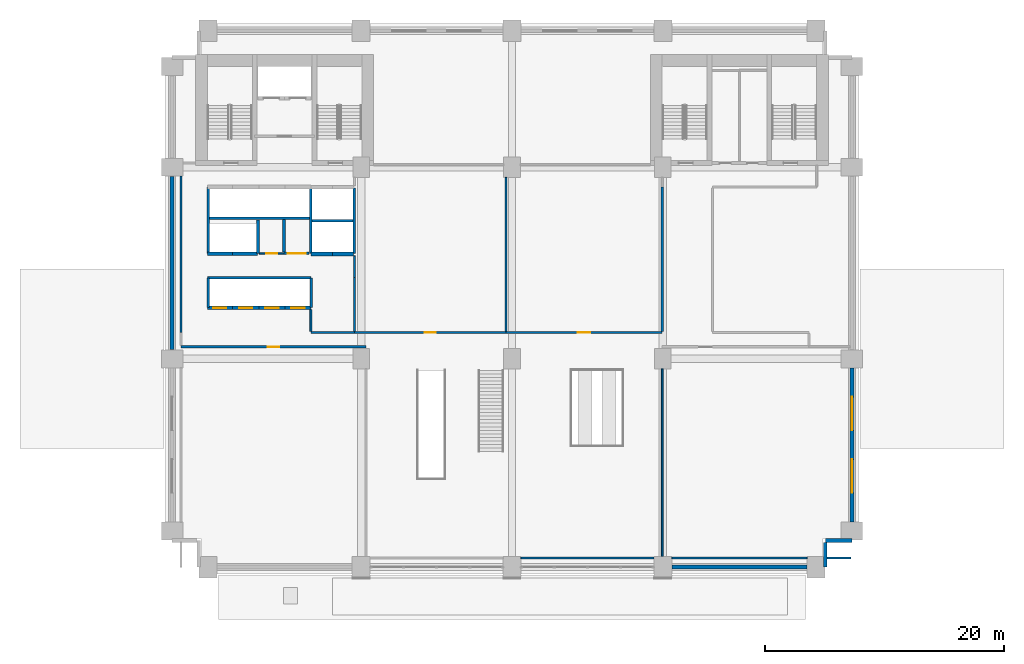
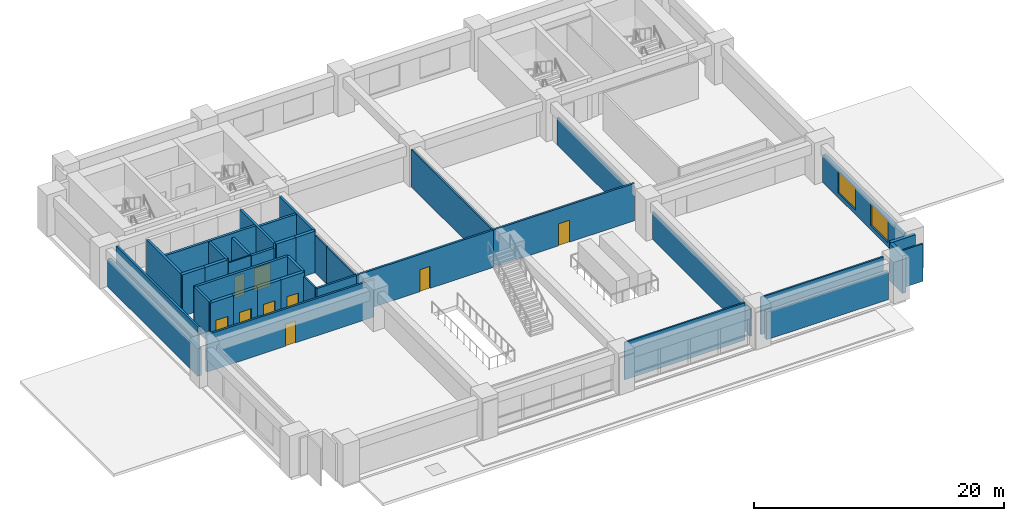
# One storey, part 5 of 11: 39 walls, 9 doors, 2 windows, 11 openings.
"""IFC4 building model written with IfcOpenShell, lengths in metres."""

import ifcopenshell
import ifcopenshell.guid

model = None  # the IFC model being written
_history = None  # IfcOwnerHistory: only IFC2X3 demands one
_inside = {}  # id of a spatial element -> (the spatial element, [elements in it])
_under = {}  # id of a project, library or spatial element -> (it, [spatial elements below it])
_declared = {}  # id of a project -> (the project, [libraries it declares])
_typed = {}  # id of a type object -> (the type object, [elements of that type])
_made_of = {}  # id of a material, layer set ... -> (it, [elements and type objects made of it])


def new_model(schema):
    """Start an empty IFC model of exactly this schema.

    Asked for "IFC4X3", IfcOpenShell would pick the latest addendum, in which some entities
    have other attributes; the version numbers below select the first issue.
    IFC2X3 requires an IfcOwnerHistory on every rooted entity: one is made here for all.
    """
    global model, _history
    if schema == "IFC4X3":
        model = ifcopenshell.file(schema_version=(4, 3, 0, 0))
    else:
        model = ifcopenshell.file(schema=schema)
    _inside.clear()
    _under.clear()
    _declared.clear()
    _typed.clear()
    _made_of.clear()
    _history = None
    if model.schema == "IFC2X3":
        org = make("IfcOrganization", Name="unknown")
        user = make(
            "IfcPersonAndOrganization",
            ThePerson=make("IfcPerson", FamilyName="unknown"),
            TheOrganization=org,
        )
        app = make(
            "IfcApplication",
            ApplicationDeveloper=org,
            Version="unknown",
            ApplicationFullName="unknown",
            ApplicationIdentifier="unknown",
        )
        _history = make(
            "IfcOwnerHistory",
            OwningUser=user,
            OwningApplication=app,
            ChangeAction="ADDED",
            CreationDate=0,
        )
    return model


def make(cls, **values):
    """One entity of the class cls with the attributes given. An attribute that is None is left unset."""
    return model.create_entity(
        cls, **{name: value for name, value in values.items() if value is not None}
    )


def rooted(cls, **values):
    """An entity with a GlobalId (a new one), such as an element, a storey or a relation."""
    return make(cls, GlobalId=ifcopenshell.guid.new(), OwnerHistory=_history, **values)


def si_unit(unit_type, name, prefix=None):
    """IfcSIUnit, for example si_unit("LENGTHUNIT", "METRE", prefix="MILLI")."""
    return make("IfcSIUnit", UnitType=unit_type, Prefix=prefix, Name=name)


def assignment(units):
    """IfcUnitAssignment: the units of a project."""
    return None if units is None else make("IfcUnitAssignment", Units=units)


def point(xyz):
    """IfcCartesianPoint."""
    return None if xyz is None else make("IfcCartesianPoint", Coordinates=xyz)


def direction(xyz):
    """IfcDirection."""
    return None if xyz is None else make("IfcDirection", DirectionRatios=xyz)


def frame(location, z_axis=None, x_axis=None):
    """IfcAxis2Placement3D, a coordinate frame: its origin and axes. An axis left out is left unset."""
    return make(
        "IfcAxis2Placement3D",
        Location=point(location),
        Axis=direction(z_axis),
        RefDirection=direction(x_axis),
    )


def frame_2d(location, x_axis=None):
    """IfcAxis2Placement2D, a coordinate frame in the plane: its origin and x axis."""
    return make(
        "IfcAxis2Placement2D", Location=point(location), RefDirection=direction(x_axis)
    )


def origin():
    """The frame at (0, 0, 0) with its axes left unset."""
    return frame((0.0, 0.0, 0.0))


def place(relative_to, where):
    """IfcLocalPlacement: puts the frame where relative to a parent placement (None: the world)."""
    return make(
        "IfcLocalPlacement", PlacementRelTo=relative_to, RelativePlacement=where
    )


def context(
    kind, dimensions, precision=None, world=None, true_north=None, identifier=None
):
    """IfcGeometricRepresentationContext, for example the 3D "Model" context."""
    return make(
        "IfcGeometricRepresentationContext",
        ContextIdentifier=identifier,
        ContextType=kind,
        CoordinateSpaceDimension=dimensions,
        Precision=precision,
        WorldCoordinateSystem=world,
        TrueNorth=true_north,
    )


def subcontext(parent, identifier, kind, view, scale=None):
    """IfcGeometricRepresentationSubContext, for example "Body" below "Model"."""
    return make(
        "IfcGeometricRepresentationSubContext",
        ContextIdentifier=identifier,
        ContextType=kind,
        ParentContext=parent,
        TargetScale=scale,
        TargetView=view,
    )


def project(units=None, contexts=None):
    """IfcProject with its units and contexts."""
    return rooted(
        "IfcProject",
        Name="project",
        RepresentationContexts=contexts,
        UnitsInContext=assignment(units),
    )


def spatial(cls, under=None, at=None, **own):
    """A site, building, storey or space (cls), placed at a placement, below another one or the project."""
    s = rooted(cls, ObjectPlacement=at, **own)
    if under is not None:
        _under.setdefault(under.id(), (under, []))[1].append(s)
    return s


def profile(cls, at=None, kind="AREA", **sizes):
    """A parametric profile (cls). Its sizes go by their IFC names, for example OverallWidth=200.0."""
    return make(cls, ProfileType=kind, Position=at, **sizes)


def rectangle(**sizes):
    """IfcRectangleProfileDef."""
    return profile("IfcRectangleProfileDef", **sizes)


def extrude(swept, where, along, depth):
    """IfcExtrudedAreaSolid: the profile swept, set in the frame where, extruded along a direction by depth."""
    return make(
        "IfcExtrudedAreaSolid",
        SweptArea=swept,
        Position=where,
        ExtrudedDirection=direction(along),
        Depth=depth,
    )


def shape(context_of_items, identifier, shape_type, items):
    """IfcShapeRepresentation: the items that make up one representation, for example the "Body"."""
    return make(
        "IfcShapeRepresentation",
        ContextOfItems=context_of_items,
        RepresentationIdentifier=identifier,
        RepresentationType=shape_type,
        Items=items,
    )


def material(Name=None, Category=None):
    """IfcMaterial."""
    return make("IfcMaterial", Name=Name, Category=Category)


def layer(
    of_material, thickness, ventilated=None, Name=None, Category=None, Priority=None
):
    """IfcMaterialLayer: one layer of a wall or slab, of a material (None: an air gap)."""
    return make(
        "IfcMaterialLayer",
        Material=of_material,
        LayerThickness=thickness,
        IsVentilated=ventilated,
        Name=Name,
        Category=Category,
        Priority=Priority,
    )


def layer_set(layers, Name=None):
    """IfcMaterialLayerSet."""
    return make("IfcMaterialLayerSet", MaterialLayers=layers, LayerSetName=Name)


def made_of(thing, what):
    """Note that an element or type object is made of a material, layer set ...; save() writes the relation."""
    if what is not None:
        _made_of.setdefault(what.id(), (what, []))[1].append(thing)
    return thing


def type_object(cls, material=None, **own):
    """A type object (cls), such as IfcWallType, which elements share."""
    return made_of(rooted(cls, **own), material)


def element(
    cls,
    number,
    at=None,
    inside=None,
    cuts=None,
    type_object=None,
    material=None,
    context=None,
    identifier="Body",
    shape_type=None,
    held_by="IfcProductDefinitionShape",
    body=None,
    shapes=None,
    **own,
):
    """One element of the class cls, such as IfcWall. Its Tag is "e" and its number.

    at: its placement. inside: the storey or other place that contains it. cuts: it is an
    opening in that element (IfcRelVoidsElement). A single representation is given by context,
    identifier, shape_type and body (its items); several are given by shapes. held_by: the class
    of the entity that holds the representations. save() writes the other relations.
    """
    e = rooted(cls, Tag="e%d" % number, ObjectPlacement=at, **own)
    if body is not None:
        shapes = [shape(context, identifier, shape_type, body)]
    if shapes is not None:
        e.Representation = make(held_by, Representations=shapes)
    if inside is not None:
        _inside.setdefault(inside.id(), (inside, []))[1].append(e)
    if cuts is not None:
        rooted(
            "IfcRelVoidsElement", RelatingBuildingElement=cuts, RelatedOpeningElement=e
        )
    if type_object is not None:
        _typed.setdefault(type_object.id(), (type_object, []))[1].append(e)
    return made_of(e, material)


def fill(opening, filler):
    """IfcRelFillsElement: the door or window that sits in an opening."""
    return rooted(
        "IfcRelFillsElement",
        RelatingOpeningElement=opening,
        RelatedBuildingElement=filler,
    )


def aggregate(whole, parts):
    """IfcRelAggregates: a whole, such as a stair, and the parts it consists of."""
    return rooted("IfcRelAggregates", RelatingObject=whole, RelatedObjects=parts)


def save(model, path):
    """Write the relations noted so far, then the file.

    IfcRelAggregates (storeys below a building ...), IfcRelContainedInSpatialStructure (elements
    in a storey), IfcRelDefinesByType, IfcRelAssociatesMaterial and IfcRelDeclares: one each for
    every whole, place, type object, material and project.
    """
    for whole, parts in _under.values():
        aggregate(whole, parts)
    for where, things in _inside.values():
        rooted(
            "IfcRelContainedInSpatialStructure",
            RelatedElements=things,
            RelatingStructure=where,
        )
    for kind, things in _typed.values():
        rooted("IfcRelDefinesByType", RelatedObjects=things, RelatingType=kind)
    for what, things in _made_of.values():
        rooted("IfcRelAssociatesMaterial", RelatedObjects=things, RelatingMaterial=what)
    for by, libraries in _declared.values():
        rooted("IfcRelDeclares", RelatingContext=by, RelatedDefinitions=libraries)
    model.write(path)


model = new_model("IFC4")

# Units and contexts
model_context = context("Model", 3, precision=1e-05, world=origin(), true_north=direction((0.0, 1.0)))
body_context = subcontext(model_context, "Body", "Model", "MODEL_VIEW")
ifc_project = project(units=[si_unit("LENGTHUNIT", "METRE"), si_unit("AREAUNIT", "SQUARE_METRE"), si_unit("VOLUMEUNIT", "CUBIC_METRE"), si_unit("PLANEANGLEUNIT", "RADIAN"), si_unit("MASSUNIT", "GRAM", prefix="KILO")], contexts=[model_context])

# Site, building, storey
site_placement = place(None, origin())
site = spatial("IfcSite", under=ifc_project, at=site_placement, CompositionType="ELEMENT")
building_placement = place(site_placement, origin())
building = spatial("IfcBuilding", under=site, at=building_placement, Name="Sulina Concourse Tower", CompositionType="ELEMENT")
storey_placement = place(building_placement, frame((0.0, 0.0, 5.39990234375)))
storey = spatial("IfcBuildingStorey", under=building, at=storey_placement, Name="L01", CompositionType="ELEMENT", Elevation=5.39990234375)

# Walls
ifc_material_1 = material(Name="Concrete C50/60", Category="concrete")
ifc_layer_1 = layer(ifc_material_1, 0.219970703125)
ifc_layer_set_1 = layer_set([ifc_layer_1], Name="Concrete C50/60")
wall_type_1 = type_object("IfcWallType", Name="Core Lift Hoistway Divider Wall 220mm", PredefinedType="SOLIDWALL", material=ifc_layer_set_1)
wall_1_placement = place(storey_placement, frame((3.550048828125, 29.75, 0.0), z_axis=(0.0, 0.0, 1.0), x_axis=(1.0, 0.0, 0.0)))
element("IfcWall", 1, at=wall_1_placement, inside=storey, type_object=wall_type_1, Name="L01 shaft divider wall HW-LP3-S", PredefinedType="SOLIDWALL", context=body_context, shape_type="SweptSolid", body=[
    extrude(rectangle(XDim=8.64990234375, YDim=0.219970703125, at=frame_2d((4.324951171875, 0.0))), origin(), (0.0, 0.0, 1.0), 4.050048828125),
])
wall_2_placement = place(storey_placement, frame((3.6298828125, 26.800048828125, 0.0), z_axis=(0.0, 0.0, 1.0), x_axis=(0.0, 1.0, 0.0)))
element("IfcWall", 2, at=wall_2_placement, inside=storey, type_object=wall_type_1, Name="L01 shaft divider wall HW-LP3-W", PredefinedType="SOLIDWALL", context=body_context, shape_type="SweptSolid", body=[
    extrude(rectangle(XDim=5.550048828125, YDim=0.219970703125, at=frame_2d((2.77490234375, 0.0))), origin(), (0.0, 0.0, 1.0), 4.050048828125),
])
wall_3_placement = place(storey_placement, frame((7.780029296875, 26.800048828125, 0.0), z_axis=(0.0, 0.0, 1.0), x_axis=(0.0, 1.0, 0.0)))
element("IfcWall", 3, at=wall_3_placement, inside=storey, type_object=wall_type_1, Name="L01 shaft divider wall HW-EXP-E", PredefinedType="SOLIDWALL", context=body_context, shape_type="SweptSolid", body=[
    extrude(rectangle(XDim=2.800048828125, YDim=0.219970703125, at=frame_2d((1.39990234375, 0.0))), origin(), (0.0, 0.0, 1.0), 4.050048828125),
])
for number, where, z_axis, x_axis, name in (
    (4, (12.179931640625, 26.800048828125, 0.0), (0.0, 0.0, 1.0), (0.0, 1.0, 0.0), "L01 shaft divider wall HW-LP2-W"),
    (5, (15.820068359375, 26.800048828125, 0.0), (0.0, 0.0, 1.0), (0.0, 1.0, 0.0), "L01 shaft divider wall HW-LP2-E"),
):
    element("IfcWall", number, at=place(storey_placement, frame(where, z_axis=z_axis, x_axis=x_axis)), inside=storey, type_object=wall_type_1, Name=name, PredefinedType="SOLIDWALL", context=body_context, shape_type="SweptSolid", body=[
        extrude(rectangle(XDim=5.449951171875, YDim=0.219970703125, at=frame_2d((2.72509765625, 0.0))), origin(), (0.0, 0.0, 1.0), 4.050048828125),
    ])
wall_4_placement = place(storey_placement, frame((12.300048828125, 29.52001953125, 0.0), z_axis=(0.0, 0.0, 1.0), x_axis=(1.0, 0.0, 0.0)))
element("IfcWall", 6, at=wall_4_placement, inside=storey, type_object=wall_type_1, Name="L01 shaft divider wall HW-LP2-M", PredefinedType="SOLIDWALL", context=body_context, shape_type="SweptSolid", body=[
    extrude(rectangle(XDim=3.39990234375, YDim=0.219970703125, at=frame_2d((1.699951171875, 0.0))), origin(), (0.0, 0.0, 1.0), 4.050048828125),
])
wall_5_placement = place(storey_placement, frame((3.550048828125, 24.780029296875, 0.0), z_axis=(0.0, 0.0, 1.0), x_axis=(1.0, 0.0, 0.0)))
element("IfcWall", 7, at=wall_5_placement, inside=storey, type_object=wall_type_1, Name="L01 shaft divider wall HW-LP1-N", PredefinedType="SOLIDWALL", context=body_context, shape_type="SweptSolid", body=[
    extrude(rectangle(XDim=8.64990234375, YDim=0.219970703125, at=frame_2d((4.324951171875, 0.0))), origin(), (0.0, 0.0, 1.0), 4.050048828125),
])
for number, where, z_axis, x_axis, name in (
    (8, (3.6298828125, 22.300048828125, 0.0), (0.0, 0.0, 1.0), (0.0, 1.0, 0.0), "L01 shaft divider wall HW-LP1-W"),
    (9, (12.219970703125, 22.300048828125, 0.0), (0.0, 0.0, 1.0), (0.0, 1.0, 0.0), "L01 shaft divider wall HW-LP1-E"),
):
    element("IfcWall", number, at=place(storey_placement, frame(where, z_axis=z_axis, x_axis=x_axis)), inside=storey, type_object=wall_type_1, Name=name, PredefinedType="SOLIDWALL", context=body_context, shape_type="SweptSolid", body=[
        extrude(rectangle(XDim=2.449951171875, YDim=0.219970703125, at=frame_2d((1.22509765625, 0.0))), origin(), (0.0, 0.0, 1.0), 4.050048828125),
    ])

# Wall, opening, door
ifc_material_2 = material(Name="Concrete C50/60", Category="concrete")
ifc_layer_2 = layer(ifc_material_2, 0.300048828125)
ifc_layer_set_2 = layer_set([ifc_layer_2], Name="Concrete C50/60")
wall_type_2 = type_object("IfcWallType", Name="Core Lift Hoistway Wall 300mm", PredefinedType="SOLIDWALL", material=ifc_layer_set_2)
wall_6_placement = place(storey_placement, frame((5.64990234375, 22.25, 0.0), z_axis=(0.0, 0.0, 1.0), x_axis=(-1.0, 0.0, 0.0)))
wall_6 = element("IfcWall", 10, at=wall_6_placement, inside=storey, type_object=wall_type_2, Name="L01 hoistway enclosure wall LP-01", PredefinedType="SOLIDWALL", context=body_context, shape_type="SweptSolid", body=[
    extrude(rectangle(XDim=2.099853515625, YDim=0.300048828125, at=frame_2d((1.0498046875, 0.0))), origin(), (0.0, 0.0, 1.0), 4.050048828125),
])
opening_1_placement = place(wall_6_placement, frame((0.5, 0.0, 0.0)))
opening_1 = element("IfcOpeningElement", 11, at=opening_1_placement, cuts=wall_6, Name="Opening LD-01", PredefinedType="OPENING", context=body_context, shape_type="SweptSolid", body=[
    extrude(rectangle(XDim=1.10009765625, YDim=2.199951171875, at=frame_2d((0.550048828125, 1.10009765625))), frame((0.0, 0.159912109375, 0.0), z_axis=(0.0, -1.0, 0.0), x_axis=(1.0, 0.0, 0.0)), (0.0, 0.0, 1.0), 0.320068359375),
])
ifc_material_3 = material(Name="Stainless steel lift landing door", Category="steel")
ifc_layer_3 = layer(ifc_material_3, 0.050048828125)
ifc_layer_set_3 = layer_set([ifc_layer_3], Name="Stainless steel lift landing door")
door_type_1 = type_object("IfcDoorType", Name="Passenger Lift Sliding Landing Door 1100x2200", OperationType="SLIDING_TO_LEFT", PredefinedType="DOOR", material=ifc_layer_set_3)
door_1_placement = place(opening_1_placement, origin())
door_1 = element("IfcDoor", 12, at=door_1_placement, inside=storey, type_object=door_type_1, Name="L01 lift landing sliding door LP-01", OperationType="SLIDING_TO_LEFT", OverallHeight=2.199951171875, OverallWidth=1.10009765625, PredefinedType="DOOR", context=body_context, shape_type="SweptSolid", body=[
    extrude(rectangle(XDim=1.10009765625, YDim=2.199951171875, at=frame_2d((0.550048828125, 1.10009765625))), frame((0.0, 0.02490234375, 0.0), z_axis=(0.0, -1.0, 0.0), x_axis=(1.0, 0.0, 0.0)), (0.0, 0.0, 1.0), 0.050048828125),
])
fill(opening_1, door_1)

wall_7_placement = place(storey_placement, frame((7.85009765625, 22.25, 0.0), z_axis=(0.0, 0.0, 1.0), x_axis=(-1.0, 0.0, 0.0)))
wall_7 = element("IfcWall", 13, at=wall_7_placement, inside=storey, type_object=wall_type_2, Name="L01 hoistway enclosure wall LP-02", PredefinedType="SOLIDWALL", context=body_context, shape_type="SweptSolid", body=[
    extrude(rectangle(XDim=2.2001953125, YDim=0.300048828125, at=frame_2d((1.10009765625, 0.0))), origin(), (0.0, 0.0, 1.0), 4.050048828125),
])
opening_2_placement = place(wall_7_placement, frame((0.550048828125, 0.0, 0.0)))
opening_2 = element("IfcOpeningElement", 14, at=opening_2_placement, cuts=wall_7, Name="Opening LD-01", PredefinedType="OPENING", context=body_context, shape_type="SweptSolid", body=[
    extrude(rectangle(XDim=1.10009765625, YDim=2.199951171875, at=frame_2d((0.550048828125, 1.10009765625))), frame((0.0, 0.159912109375, 0.0), z_axis=(0.0, -1.0, 0.0), x_axis=(1.0, 0.0, 0.0)), (0.0, 0.0, 1.0), 0.320068359375),
])
door_2_placement = place(opening_2_placement, origin())
door_2 = element("IfcDoor", 15, at=door_2_placement, inside=storey, type_object=door_type_1, Name="L01 lift landing sliding door LP-02", OperationType="SLIDING_TO_RIGHT", OverallHeight=2.199951171875, OverallWidth=1.10009765625, PredefinedType="DOOR", context=body_context, shape_type="SweptSolid", body=[
    extrude(rectangle(XDim=1.10009765625, YDim=2.199951171875, at=frame_2d((0.550048828125, 1.10009765625))), frame((0.0, 0.02490234375, 0.0), z_axis=(0.0, -1.0, 0.0), x_axis=(1.0, 0.0, 0.0)), (0.0, 0.0, 1.0), 0.050048828125),
])
fill(opening_2, door_2)

wall_8_placement = place(storey_placement, frame((10.050048828125, 22.25, 0.0), z_axis=(0.0, 0.0, 1.0), x_axis=(-1.0, 0.0, 0.0)))
wall_8 = element("IfcWall", 16, at=wall_8_placement, inside=storey, type_object=wall_type_2, Name="L01 hoistway enclosure wall LP-03", PredefinedType="SOLIDWALL", context=body_context, shape_type="SweptSolid", body=[
    extrude(rectangle(XDim=2.199951171875, YDim=0.300048828125, at=frame_2d((1.10009765625, 0.0))), origin(), (0.0, 0.0, 1.0), 4.050048828125),
])
opening_3_placement = place(wall_8_placement, frame((0.550048828125, 0.0, 0.0)))
opening_3 = element("IfcOpeningElement", 17, at=opening_3_placement, cuts=wall_8, Name="Opening LD-01", PredefinedType="OPENING", context=body_context, shape_type="SweptSolid", body=[
    extrude(rectangle(XDim=1.10009765625, YDim=2.199951171875, at=frame_2d((0.550048828125, 1.10009765625))), frame((0.0, 0.159912109375, 0.0), z_axis=(0.0, -1.0, 0.0), x_axis=(1.0, 0.0, 0.0)), (0.0, 0.0, 1.0), 0.320068359375),
])
door_3_placement = place(opening_3_placement, origin())
door_3 = element("IfcDoor", 18, at=door_3_placement, inside=storey, type_object=door_type_1, Name="L01 lift landing sliding door LP-03", OperationType="SLIDING_TO_LEFT", OverallHeight=2.199951171875, OverallWidth=1.10009765625, PredefinedType="DOOR", context=body_context, shape_type="SweptSolid", body=[
    extrude(rectangle(XDim=1.10009765625, YDim=2.199951171875, at=frame_2d((0.550048828125, 1.10009765625))), frame((0.0, 0.02490234375, 0.0), z_axis=(0.0, -1.0, 0.0), x_axis=(1.0, 0.0, 0.0)), (0.0, 0.0, 1.0), 0.050048828125),
])
fill(opening_3, door_3)

wall_9_placement = place(storey_placement, frame((12.199951171875, 22.25, 0.0), z_axis=(0.0, 0.0, 1.0), x_axis=(-1.0, 0.0, 0.0)))
wall_9 = element("IfcWall", 19, at=wall_9_placement, inside=storey, type_object=wall_type_2, Name="L01 hoistway enclosure wall LP-04", PredefinedType="SOLIDWALL", context=body_context, shape_type="SweptSolid", body=[
    extrude(rectangle(XDim=2.14990234375, YDim=0.300048828125, at=frame_2d((1.074951171875, 0.0))), origin(), (0.0, 0.0, 1.0), 4.050048828125),
])
opening_4_placement = place(wall_9_placement, frame((0.52490234375, 0.0, 0.0)))
opening_4 = element("IfcOpeningElement", 20, at=opening_4_placement, cuts=wall_9, Name="Opening LD-01", PredefinedType="OPENING", context=body_context, shape_type="SweptSolid", body=[
    extrude(rectangle(XDim=1.10009765625, YDim=2.199951171875, at=frame_2d((0.550048828125, 1.10009765625))), frame((0.0, 0.159912109375, 0.0), z_axis=(0.0, -1.0, 0.0), x_axis=(1.0, 0.0, 0.0)), (0.0, 0.0, 1.0), 0.320068359375),
])
door_4_placement = place(opening_4_placement, origin())
door_4 = element("IfcDoor", 21, at=door_4_placement, inside=storey, type_object=door_type_1, Name="L01 lift landing sliding door LP-04", OperationType="SLIDING_TO_RIGHT", OverallHeight=2.199951171875, OverallWidth=1.10009765625, PredefinedType="DOOR", context=body_context, shape_type="SweptSolid", body=[
    extrude(rectangle(XDim=1.10009765625, YDim=2.199951171875, at=frame_2d((0.550048828125, 1.10009765625))), frame((0.0, 0.02490234375, 0.0), z_axis=(0.0, -1.0, 0.0), x_axis=(1.0, 0.0, 0.0)), (0.0, 0.0, 1.0), 0.050048828125),
])
fill(opening_4, door_4)

# Walls
for number, where, z_axis, x_axis, name in (
    (22, (14.0, 26.75, 0.0), (0.0, 0.0, 1.0), (-1.0, 0.0, 0.0), "L01 hoistway enclosure wall LP-05"),
    (23, (15.780029296875, 26.75, 0.0), (0.0, 0.0, 1.0), (-1.0, 0.0, 0.0), "L01 hoistway enclosure wall LP-06"),
):
    element("IfcWall", number, at=place(storey_placement, frame(where, z_axis=z_axis, x_axis=x_axis)), inside=storey, type_object=wall_type_2, Name=name, PredefinedType="SOLIDWALL", context=body_context, shape_type="SweptSolid", body=[
        extrude(rectangle(XDim=1.780029296875, YDim=0.300048828125, at=frame_2d((0.89013671875, 0.0))), origin(), (0.0, 0.0, 1.0), 4.050048828125),
    ])
wall_10_placement = place(storey_placement, frame((5.64990234375, 26.780029296875, 0.0), z_axis=(0.0, 0.0, 1.0), x_axis=(-1.0, 0.0, 0.0)))
element("IfcWall", 24, at=wall_10_placement, inside=storey, type_object=wall_type_2, Name="L01 hoistway enclosure wall EXP-1", PredefinedType="SOLIDWALL", context=body_context, shape_type="SweptSolid", body=[
    extrude(rectangle(XDim=2.099853515625, YDim=0.300048828125, at=frame_2d((1.0498046875, 0.0))), origin(), (0.0, 0.0, 1.0), 4.050048828125),
])
wall_11_placement = place(storey_placement, frame((7.75, 26.780029296875, 0.0), z_axis=(0.0, 0.0, 1.0), x_axis=(-1.0, 0.0, 0.0)))
element("IfcWall", 25, at=wall_11_placement, inside=storey, type_object=wall_type_2, Name="L01 hoistway enclosure wall EXP-2", PredefinedType="SOLIDWALL", context=body_context, shape_type="SweptSolid", body=[
    extrude(rectangle(XDim=2.10009765625, YDim=0.300048828125, at=frame_2d((1.050048828125, 0.0))), origin(), (0.0, 0.0, 1.0), 4.050048828125),
])

# Wall, opening, door
ifc_material_4 = material(Name="Gypsum board on steel stud", Category="steel")
ifc_layer_4 = layer(ifc_material_4, 0.219970703125)
ifc_layer_set_4 = layer_set([ifc_layer_4], Name="Gypsum board on steel stud")
wall_type_3 = type_object("IfcWallType", Name="Fire-Rated Lobby & Compartment Wall 220mm", PredefinedType="PARTITIONING", material=ifc_layer_set_4)
wall_12_placement = place(storey_placement, frame((9.949951171875, 26.800048828125, 0.0), z_axis=(0.0, 0.0, 1.0), x_axis=(1.0, 0.0, 0.0)))
wall_12 = element("IfcWall", 26, at=wall_12_placement, inside=storey, type_object=wall_type_3, Name="L01 interior partition 013", PredefinedType="PARTITIONING", context=body_context, shape_type="SweptSolid", body=[
    extrude(rectangle(XDim=2.10009765625, YDim=0.219970703125, at=frame_2d((1.050048828125, 0.0))), origin(), (0.0, 0.0, 1.0), 3.650146484375),
])
opening_5_placement = place(wall_12_placement, frame((0.300048828125, 0.0, 0.0)))
opening_5 = element("IfcOpeningElement", 27, at=opening_5_placement, cuts=wall_12, Name="Opening DR-80", PredefinedType="OPENING", context=body_context, shape_type="SweptSolid", body=[
    extrude(rectangle(XDim=1.5, YDim=2.25, at=frame_2d((0.75, 1.125))), frame((0.0, 0.119873046875, 0.0), z_axis=(0.0, -1.0, 0.0), x_axis=(1.0, 0.0, 0.0)), (0.0, 0.0, 1.0), 0.239990234375),
])
ifc_material_5 = material(Name="Galvanised steel acoustic fire leaf", Category="steel")
ifc_layer_5 = layer(ifc_material_5, 0.054931640625)
ifc_layer_set_5 = layer_set([ifc_layer_5], Name="Galvanised steel acoustic fire leaf")
door_type_2 = type_object("IfcDoorType", Name="Mechanical Plant Double Fire Door 1500x2250", OperationType="DOUBLE_DOOR_SINGLE_SWING", PredefinedType="DOOR", material=ifc_layer_set_5)
door_5_placement = place(opening_5_placement, origin())
door_5 = element("IfcDoor", 28, at=door_5_placement, inside=storey, type_object=door_type_2, Name="L01 interior door L01-IT-IDF", OperationType="DOUBLE_DOOR_SINGLE_SWING", OverallHeight=2.25, OverallWidth=1.5, PredefinedType="DOOR", context=body_context, shape_type="SweptSolid", body=[
    extrude(rectangle(XDim=1.5, YDim=2.25, at=frame_2d((0.75, 1.125))), frame((0.0, 0.02490234375, 0.0), z_axis=(0.0, -1.0, 0.0), x_axis=(1.0, 0.0, 0.0)), (0.0, 0.0, 1.0), 0.050048828125),
])
fill(opening_5, door_5)

# Walls
wall_13_placement = place(storey_placement, frame((9.949951171875, 26.909912109375, 0.0), z_axis=(0.0, 0.0, 1.0), x_axis=(0.0, 1.0, 0.0)))
element("IfcWall", 29, at=wall_13_placement, inside=storey, type_object=wall_type_3, Name="L01 interior partition 024", PredefinedType="PARTITIONING", context=body_context, shape_type="SweptSolid", body=[
    extrude(rectangle(XDim=2.72998046875, YDim=0.219970703125, at=frame_2d((1.364990234375, 0.0))), origin(), (0.0, 0.0, 1.0), 3.650146484375),
])
ifc_material_6 = material(Name="Gypsum board on steel stud", Category="steel")
ifc_layer_6 = layer(ifc_material_6, 0.14990234375)
ifc_layer_set_6 = layer_set([ifc_layer_6], Name="Gypsum board on steel stud")
wall_type_4 = type_object("IfcWallType", Name="Inter-Tenancy Acoustic Partition 150mm", PredefinedType="PARTITIONING", material=ifc_layer_set_6)
wall_14_placement = place(storey_placement, frame((29.75, 1.35009765625, 0.0), z_axis=(0.0, 0.0, 1.0), x_axis=(1.0, 0.0, 0.0)))
element("IfcWall", 30, at=wall_14_placement, inside=storey, type_object=wall_type_4, Name="L01 interior partition 002", PredefinedType="PARTITIONING", context=body_context, shape_type="SweptSolid", body=[
    extrude(rectangle(XDim=11.10009765625, YDim=0.14990234375, at=frame_2d((5.550048828125, 0.0))), origin(), (0.0, 0.0, 1.0), 3.650146484375),
])
wall_15_placement = place(storey_placement, frame((42.35009765625, 1.35009765625, 0.0), z_axis=(0.0, 0.0, 1.0), x_axis=(1.0, 0.0, 0.0)))
element("IfcWall", 31, at=wall_15_placement, inside=storey, type_object=wall_type_4, Name="L01 interior partition 003", PredefinedType="PARTITIONING", context=body_context, shape_type="SweptSolid", body=[
    extrude(rectangle(XDim=11.2998046875, YDim=0.14990234375, at=frame_2d((5.64990234375, 0.0))), origin(), (0.0, 0.0, 1.0), 3.650146484375),
])
wall_16_placement = place(storey_placement, frame((55.330078125, 1.35009765625, 0.0), z_axis=(0.0, 0.0, 1.0), x_axis=(1.0, 0.0, 0.0)))
element("IfcWall", 32, at=wall_16_placement, inside=storey, type_object=wall_type_4, Name="L01 interior partition 004", PredefinedType="PARTITIONING", context=body_context, shape_type="SweptSolid", body=[
    extrude(rectangle(XDim=1.969970703125, YDim=0.14990234375, at=frame_2d((0.98486328125, 0.0))), origin(), (0.0, 0.0, 1.0), 3.650146484375),
])
wall_17_placement = place(storey_placement, frame((12.199951171875, 20.2900390625, 0.0), z_axis=(0.0, 0.0, 1.0), x_axis=(0.0, 1.0, 0.0)))
element("IfcWall", 33, at=wall_17_placement, inside=storey, type_object=wall_type_4, Name="L01 interior partition 025", PredefinedType="PARTITIONING", context=body_context, shape_type="SweptSolid", body=[
    extrude(rectangle(XDim=1.81005859375, YDim=0.14990234375, at=frame_2d((0.905029296875, 0.0))), origin(), (0.0, 0.0, 1.0), 3.650146484375),
])
wall_18_placement = place(storey_placement, frame((15.85009765625, 20.2900390625, 0.0), z_axis=(0.0, 0.0, 1.0), x_axis=(0.0, 1.0, 0.0)))
element("IfcWall", 34, at=wall_18_placement, inside=storey, type_object=wall_type_4, Name="L01 interior partition 026", PredefinedType="PARTITIONING", context=body_context, shape_type="SweptSolid", body=[
    extrude(rectangle(XDim=4.510009765625, YDim=0.14990234375, at=frame_2d((2.2548828125, 0.0))), origin(), (0.0, 0.0, 1.0), 3.650146484375),
])
wall_19_placement = place(storey_placement, frame((15.85009765625, 24.800048828125, 0.0), z_axis=(0.0, 0.0, 1.0), x_axis=(0.0, 1.0, 0.0)))
element("IfcWall", 35, at=wall_19_placement, inside=storey, type_object=wall_type_4, Name="L01 interior partition 027", PredefinedType="PARTITIONING", context=body_context, shape_type="SweptSolid", body=[
    extrude(rectangle(XDim=1.800048828125, YDim=0.14990234375, at=frame_2d((0.89990234375, 0.0))), origin(), (0.0, 0.0, 1.0), 3.650146484375),
])
wall_20_placement = place(storey_placement, frame((28.5, 20.2900390625, 0.0), z_axis=(0.0, 0.0, 1.0), x_axis=(0.0, 1.0, 0.0)))
element("IfcWall", 36, at=wall_20_placement, inside=storey, type_object=wall_type_4, Name="L01 interior partition 030", PredefinedType="PARTITIONING", context=body_context, shape_type="SweptSolid", body=[
    extrude(rectangle(XDim=12.85986328125, YDim=0.14990234375, at=frame_2d((6.429931640625, 0.0))), origin(), (0.0, 0.0, 1.0), 3.650146484375),
])
wall_21_placement = place(storey_placement, frame((41.550048828125, 1.5, 0.0), z_axis=(0.0, 0.0, 1.0), x_axis=(0.0, 1.0, 0.0)))
element("IfcWall", 37, at=wall_21_placement, inside=storey, type_object=wall_type_4, Name="L01 interior partition 031", PredefinedType="PARTITIONING", context=body_context, shape_type="SweptSolid", body=[
    extrude(rectangle(XDim=15.64990234375, YDim=0.14990234375, at=frame_2d((7.824951171875, 0.0))), origin(), (0.0, 0.0, 1.0), 2.695068359375),
])
ifc_material_7 = material(Name="Precast concrete C50/60", Category="concrete")
ifc_layer_7 = layer(ifc_material_7, 0.320068359375)
ifc_layer_set_7 = layer_set([ifc_layer_7], Name="Precast concrete C50/60")
wall_type_5 = type_object("IfcWallType", Name="Lower Precast Masonry-Frame Facade Wall 320mm", PredefinedType="SOLIDWALL", material=ifc_layer_set_7)
wall_22_placement = place(storey_placement, frame((53.6298828125, 0.60009765625, 0.0), z_axis=(0.0, 0.0, 1.0), x_axis=(-1.0, 0.0, 0.0)))
element("IfcWall", 38, at=wall_22_placement, inside=storey, type_object=wall_type_5, Name="L01 exterior precast wall S4", PredefinedType="SOLIDWALL", context=body_context, shape_type="SweptSolid", body=[
    extrude(rectangle(XDim=11.259765625, YDim=0.320068359375, at=frame_2d((5.6298828125, 0.0))), origin(), (0.0, 0.0, 1.0), 2.7001953125),
])
wall_23_placement = place(storey_placement, frame((0.60009765625, 18.77001953125, 0.0), z_axis=(0.0, 0.0, 1.0), x_axis=(0.0, 1.0, 0.0)))
element("IfcWall", 39, at=wall_23_placement, inside=storey, type_object=wall_type_5, Name="L01 exterior precast wall W2", PredefinedType="SOLIDWALL", context=body_context, shape_type="SweptSolid", body=[
    extrude(rectangle(XDim=14.4599609375, YDim=0.320068359375, at=frame_2d((7.22998046875, 0.0))), origin(), (0.0, 0.0, 1.0), 2.7001953125),
])

# Wall, openings, windows
wall_24_placement = place(storey_placement, frame((57.39990234375, 17.22998046875, 0.0), z_axis=(0.0, 0.0, 1.0), x_axis=(0.0, -1.0, 0.0)))
wall_24 = element("IfcWall", 40, at=wall_24_placement, inside=storey, type_object=wall_type_5, Name="L01 exterior precast wall E1", PredefinedType="SOLIDWALL", context=body_context, shape_type="SweptSolid", body=[
    extrude(rectangle(XDim=12.85986328125, YDim=0.320068359375, at=frame_2d((6.429931640625, 0.0))), origin(), (0.0, 0.0, 1.0), 2.7001953125),
])
opening_6_placement = place(wall_24_placement, frame((2.419921875, 0.0, 0.449951171875)))
opening_6 = element("IfcOpeningElement", 41, at=opening_6_placement, cuts=wall_24, Name="Opening WN-83", PredefinedType="OPENING", context=body_context, shape_type="SweptSolid", body=[
    extrude(rectangle(XDim=2.800048828125, YDim=2.10009765625, at=frame_2d((1.39990234375, 1.050048828125))), frame((0.0, 0.169921875, 0.0), z_axis=(0.0, -1.0, 0.0), x_axis=(1.0, 0.0, 0.0)), (0.0, 0.0, 1.0), 0.340087890625),
])
opening_7_placement = place(wall_24_placement, frame((7.639892578125, 0.0, 0.449951171875)))
opening_7 = element("IfcOpeningElement", 42, at=opening_7_placement, cuts=wall_24, Name="Opening WN-83", PredefinedType="OPENING", context=body_context, shape_type="SweptSolid", body=[
    extrude(rectangle(XDim=2.800048828125, YDim=2.10009765625, at=frame_2d((1.39990234375, 1.050048828125))), frame((0.0, 0.169921875, 0.0), z_axis=(0.0, -1.0, 0.0), x_axis=(1.0, 0.0, 0.0)), (0.0, 0.0, 1.0), 0.340087890625),
])
ifc_material_8 = material(Name="Low-E solar double glazing in bronze aluminium", Category="aluminium")
window_type = type_object("IfcWindowType", Name="Station Podium Clerestory Window 2800x2100", PartitioningType="TRIPLE_PANEL_VERTICAL", PredefinedType="WINDOW", material=ifc_material_8)
window_1_placement = place(opening_6_placement, origin())
window_1 = element("IfcWindow", 43, at=window_1_placement, inside=storey, type_object=window_type, Name="L01 punched window E1-1", OverallHeight=2.10009765625, OverallWidth=2.800048828125, PartitioningType="SINGLE_PANEL", PredefinedType="WINDOW", context=body_context, shape_type="SweptSolid", body=[
    extrude(rectangle(XDim=2.800048828125, YDim=2.10009765625, at=frame_2d((1.39990234375, 1.050048828125))), frame((0.0, 0.030029296875, 0.0), z_axis=(0.0, -1.0, 0.0), x_axis=(1.0, 0.0, 0.0)), (0.0, 0.0, 1.0), 0.06005859375),
])
fill(opening_6, window_1)
window_2_placement = place(opening_7_placement, origin())
window_2 = element("IfcWindow", 44, at=window_2_placement, inside=storey, type_object=window_type, Name="L01 punched window E1-2", OverallHeight=2.10009765625, OverallWidth=2.800048828125, PartitioningType="SINGLE_PANEL", PredefinedType="WINDOW", context=body_context, shape_type="SweptSolid", body=[
    extrude(rectangle(XDim=2.800048828125, YDim=2.10009765625, at=frame_2d((1.39990234375, 1.050048828125))), frame((0.0, 0.030029296875, 0.0), z_axis=(0.0, -1.0, 0.0), x_axis=(1.0, 0.0, 0.0)), (0.0, 0.0, 1.0), 0.06005859375),
])
fill(opening_7, window_2)

# Walls
wall_25_placement = place(storey_placement, frame((57.39990234375, 2.830078125, 0.0), z_axis=(0.0, 0.0, 1.0), x_axis=(-1.0, 0.0, 0.0)))
element("IfcWall", 45, at=wall_25_placement, inside=storey, type_object=wall_type_5, Name="L01 exterior precast wall CSE1", PredefinedType="SOLIDWALL", context=body_context, shape_type="SweptSolid", body=[
    extrude(rectangle(XDim=2.22998046875, YDim=0.320068359375, at=frame_2d((1.114990234375, 0.0))), origin(), (0.0, 0.0, 1.0), 3.650146484375),
])
wall_26_placement = place(storey_placement, frame((55.169921875, 2.6650390625, 0.0), z_axis=(0.0, 0.0, 1.0), x_axis=(0.0, -1.0, 0.0)))
element("IfcWall", 46, at=wall_26_placement, inside=storey, type_object=wall_type_5, Name="L01 exterior precast wall CSE2", PredefinedType="SOLIDWALL", context=body_context, shape_type="SweptSolid", body=[
    extrude(rectangle(XDim=2.06494140625, YDim=0.320068359375, at=frame_2d((1.032470703125, 0.0))), origin(), (0.0, 0.0, 1.0), 3.650146484375),
])

# Wall, opening, door
ifc_material_9 = material(Name="Gypsum board on steel stud", Category="steel")
ifc_layer_8 = layer(ifc_material_9, 0.179931640625)
ifc_layer_set_8 = layer_set([ifc_layer_8], Name="Gypsum board on steel stud")
wall_type_6 = type_object("IfcWallType", Name="Protected Corridor & Riser Partition 180mm", PredefinedType="PARTITIONING", material=ifc_layer_set_8)
wall_27_placement = place(storey_placement, frame((1.35009765625, 19.0, 0.0), z_axis=(0.0, 0.0, 1.0), x_axis=(1.0, 0.0, 0.0)))
wall_27 = element("IfcWall", 47, at=wall_27_placement, inside=storey, type_object=wall_type_6, Name="L01 interior partition 005", PredefinedType="PARTITIONING", context=body_context, shape_type="SweptSolid", body=[
    extrude(rectangle(XDim=15.449951171875, YDim=0.179931640625, at=frame_2d((7.72509765625, 0.0))), origin(), (0.0, 0.0, 1.0), 3.650146484375),
])
opening_8_placement = place(wall_27_placement, frame((7.25, 0.0, 0.0)))
opening_8 = element("IfcOpeningElement", 48, at=opening_8_placement, cuts=wall_27, Name="Opening DR-19", PredefinedType="OPENING", context=body_context, shape_type="SweptSolid", body=[
    extrude(rectangle(XDim=0.949951171875, YDim=2.14990234375, at=frame_2d((0.47509765625, 1.074951171875))), frame((0.0, 0.099853515625, 0.0), z_axis=(0.0, -1.0, 0.0), x_axis=(1.0, 0.0, 0.0)), (0.0, 0.0, 1.0), 0.199951171875),
])
ifc_material_10 = material(Name="Oak-veneered acoustic timber leaf", Category="wood")
ifc_layer_9 = layer(ifc_material_10, 0.050048828125)
ifc_layer_set_9 = layer_set([ifc_layer_9], Name="Oak-veneered acoustic timber leaf")
door_type_3 = type_object("IfcDoorType", Name="Cellular Office & Meeting Door 950x2150", OperationType="NOTDEFINED", PredefinedType="DOOR", material=ifc_layer_set_9)
door_6_placement = place(opening_8_placement, origin())
door_6 = element("IfcDoor", 49, at=door_6_placement, inside=storey, type_object=door_type_3, Name="L01 interior door L01-RET-W", OperationType="SINGLE_SWING_RIGHT", OverallHeight=2.14990234375, OverallWidth=0.949951171875, PredefinedType="DOOR", context=body_context, shape_type="SweptSolid", body=[
    extrude(rectangle(XDim=0.949951171875, YDim=2.14990234375, at=frame_2d((0.47509765625, 1.074951171875))), frame((0.0, 0.02490234375, 0.0), z_axis=(0.0, -1.0, 0.0), x_axis=(1.0, 0.0, 0.0)), (0.0, 0.0, 1.0), 0.050048828125),
])
fill(opening_8, door_6)

# Wall
wall_28_placement = place(storey_placement, frame((12.199951171875, 20.199951171875, 0.0), z_axis=(0.0, 0.0, 1.0), x_axis=(1.0, 0.0, 0.0)))
element("IfcWall", 50, at=wall_28_placement, inside=storey, type_object=wall_type_6, Name="L01 interior partition 008", PredefinedType="PARTITIONING", context=body_context, shape_type="SweptSolid", body=[
    extrude(rectangle(XDim=3.650146484375, YDim=0.179931640625, at=frame_2d((1.8251953125, 0.0))), origin(), (0.0, 0.0, 1.0), 3.650146484375),
])

# Wall, opening, door
wall_29_placement = place(storey_placement, frame((15.85009765625, 20.199951171875, 0.0), z_axis=(0.0, 0.0, 1.0), x_axis=(1.0, 0.0, 0.0)))
wall_29 = element("IfcWall", 51, at=wall_29_placement, inside=storey, type_object=wall_type_6, Name="L01 interior partition 009", PredefinedType="PARTITIONING", context=body_context, shape_type="SweptSolid", body=[
    extrude(rectangle(XDim=12.64990234375, YDim=0.179931640625, at=frame_2d((6.324951171875, 0.0))), origin(), (0.0, 0.0, 1.0), 3.650146484375),
])
opening_9_placement = place(wall_29_placement, frame((5.85009765625, 0.0, 0.0)))
opening_9 = element("IfcOpeningElement", 52, at=opening_9_placement, cuts=wall_29, Name="Opening DR-19", PredefinedType="OPENING", context=body_context, shape_type="SweptSolid", body=[
    extrude(rectangle(XDim=0.949951171875, YDim=2.14990234375, at=frame_2d((0.47509765625, 1.074951171875))), frame((0.0, 0.099853515625, 0.0), z_axis=(0.0, -1.0, 0.0), x_axis=(1.0, 0.0, 0.0)), (0.0, 0.0, 1.0), 0.199951171875),
])
door_7_placement = place(opening_9_placement, origin())
door_7 = element("IfcDoor", 53, at=door_7_placement, inside=storey, type_object=door_type_3, Name="L01 interior door L01-MTG-ST", OperationType="SINGLE_SWING_RIGHT", OverallHeight=2.14990234375, OverallWidth=0.949951171875, PredefinedType="DOOR", context=body_context, shape_type="SweptSolid", body=[
    extrude(rectangle(XDim=0.949951171875, YDim=2.14990234375, at=frame_2d((0.47509765625, 1.074951171875))), frame((0.0, 0.02490234375, 0.0), z_axis=(0.0, -1.0, 0.0), x_axis=(1.0, 0.0, 0.0)), (0.0, 0.0, 1.0), 0.050048828125),
])
fill(opening_9, door_7)

wall_30_placement = place(storey_placement, frame((28.5, 20.199951171875, 0.0), z_axis=(0.0, 0.0, 1.0), x_axis=(1.0, 0.0, 0.0)))
wall_30 = element("IfcWall", 54, at=wall_30_placement, inside=storey, type_object=wall_type_6, Name="L01 interior partition 010", PredefinedType="PARTITIONING", context=body_context, shape_type="SweptSolid", body=[
    extrude(rectangle(XDim=13.050048828125, YDim=0.179931640625, at=frame_2d((6.52490234375, 0.0))), origin(), (0.0, 0.0, 1.0), 3.650146484375),
])
opening_10_placement = place(wall_30_placement, frame((6.0, 0.0, 0.0)))
opening_10 = element("IfcOpeningElement", 55, at=opening_10_placement, cuts=wall_30, Name="Opening DR-37", PredefinedType="OPENING", context=body_context, shape_type="SweptSolid", body=[
    extrude(rectangle(XDim=1.050048828125, YDim=2.14990234375, at=frame_2d((0.52490234375, 1.074951171875))), frame((0.0, 0.099853515625, 0.0), z_axis=(0.0, -1.0, 0.0), x_axis=(1.0, 0.0, 0.0)), (0.0, 0.0, 1.0), 0.199951171875),
])
ifc_material_11 = material(Name="Oak-veneered fire door leaf")
ifc_layer_10 = layer(ifc_material_11, 0.050048828125)
ifc_layer_set_10 = layer_set([ifc_layer_10], Name="Oak-veneered fire door leaf")
door_type_4 = type_object("IfcDoorType", Name="Tenant Suite Entrance Fire Door 1050x2150", OperationType="NOTDEFINED", PredefinedType="DOOR", material=ifc_layer_set_10)
door_8_placement = place(opening_10_placement, origin())
door_8 = element("IfcDoor", 56, at=door_8_placement, inside=storey, type_object=door_type_4, Name="L01 interior door L01-PNT-ST", OperationType="SINGLE_SWING_LEFT", OverallHeight=2.14990234375, OverallWidth=1.050048828125, PredefinedType="DOOR", context=body_context, shape_type="SweptSolid", body=[
    extrude(rectangle(XDim=1.050048828125, YDim=2.14990234375, at=frame_2d((0.52490234375, 1.074951171875))), frame((0.0, 0.02490234375, 0.0), z_axis=(0.0, -1.0, 0.0), x_axis=(1.0, 0.0, 0.0)), (0.0, 0.0, 1.0), 0.050048828125),
])
fill(opening_10, door_8)

# Walls
wall_31_placement = place(storey_placement, frame((1.35009765625, 20.199951171875, 0.0), z_axis=(0.0, 0.0, 1.0), x_axis=(0.0, 1.0, 0.0)))
element("IfcWall", 57, at=wall_31_placement, inside=storey, type_object=wall_type_6, Name="L01 interior partition 023", PredefinedType="PARTITIONING", context=body_context, shape_type="SweptSolid", body=[
    extrude(rectangle(XDim=13.050048828125, YDim=0.179931640625, at=frame_2d((6.52490234375, 0.0))), origin(), (0.0, 0.0, 1.0), 3.650146484375),
])
wall_32_placement = place(storey_placement, frame((41.550048828125, 20.2900390625, 0.0), z_axis=(0.0, 0.0, 1.0), x_axis=(0.0, 1.0, 0.0)))
element("IfcWall", 58, at=wall_32_placement, inside=storey, type_object=wall_type_6, Name="L01 interior partition 032", PredefinedType="PARTITIONING", context=body_context, shape_type="SweptSolid", body=[
    extrude(rectangle(XDim=12.06005859375, YDim=0.179931640625, at=frame_2d((6.030029296875, 0.0))), origin(), (0.0, 0.0, 1.0), 2.695068359375),
])

# Wall, opening, door
ifc_material_12 = material(Name="Gypsum board on steel stud", Category="steel")
ifc_layer_11 = layer(ifc_material_12, 0.125)
ifc_layer_set_11 = layer_set([ifc_layer_11], Name="Gypsum board on steel stud")
wall_type_7 = type_object("IfcWallType", Name="Wet-Area Moisture-Resistant Partition 125mm", PredefinedType="PARTITIONING", material=ifc_layer_set_11)
wall_33_placement = place(storey_placement, frame((7.889892578125, 26.800048828125, 0.0), z_axis=(0.0, 0.0, 1.0), x_axis=(1.0, 0.0, 0.0)))
wall_33 = element("IfcWall", 59, at=wall_33_placement, inside=storey, type_object=wall_type_7, Name="L01 interior partition 012", PredefinedType="PARTITIONING", context=body_context, shape_type="SweptSolid", body=[
    extrude(rectangle(XDim=2.06005859375, YDim=0.125, at=frame_2d((1.030029296875, 0.0))), origin(), (0.0, 0.0, 1.0), 3.650146484375),
])
opening_11_placement = place(wall_33_placement, frame((0.570068359375, 0.0, 0.0)))
opening_11 = element("IfcOpeningElement", 60, at=opening_11_placement, cuts=wall_33, Name="Opening DR-61", PredefinedType="OPENING", context=body_context, shape_type="SweptSolid", body=[
    extrude(rectangle(XDim=0.919921875, YDim=2.10009765625, at=frame_2d((0.4599609375, 1.050048828125))), frame((0.0, 0.072509765625, 0.0), z_axis=(0.0, -1.0, 0.0), x_axis=(1.0, 0.0, 0.0)), (0.0, 0.0, 1.0), 0.14501953125),
])
ifc_material_13 = material(Name="Oak-veneered fire door leaf")
ifc_layer_12 = layer(ifc_material_13, 0.050048828125)
ifc_layer_set_12 = layer_set([ifc_layer_12], Name="Oak-veneered fire door leaf")
door_type_5 = type_object("IfcDoorType", Name="Accessible WC Door 920x2100", OperationType="NOTDEFINED", PredefinedType="DOOR", material=ifc_layer_set_12)
door_9_placement = place(opening_11_placement, origin())
door_9 = element("IfcDoor", 61, at=door_9_placement, inside=storey, type_object=door_type_5, Name="L01 interior door L01-WC-ACC", OperationType="SINGLE_SWING_RIGHT", OverallHeight=2.10009765625, OverallWidth=0.919921875, PredefinedType="DOOR", context=body_context, shape_type="SweptSolid", body=[
    extrude(rectangle(XDim=0.919921875, YDim=2.10009765625, at=frame_2d((0.4599609375, 1.050048828125))), frame((0.0, 0.02490234375, 0.0), z_axis=(0.0, -1.0, 0.0), x_axis=(1.0, 0.0, 0.0)), (0.0, 0.0, 1.0), 0.050048828125),
])
fill(opening_11, door_9)

save(model, "model.ifc")
